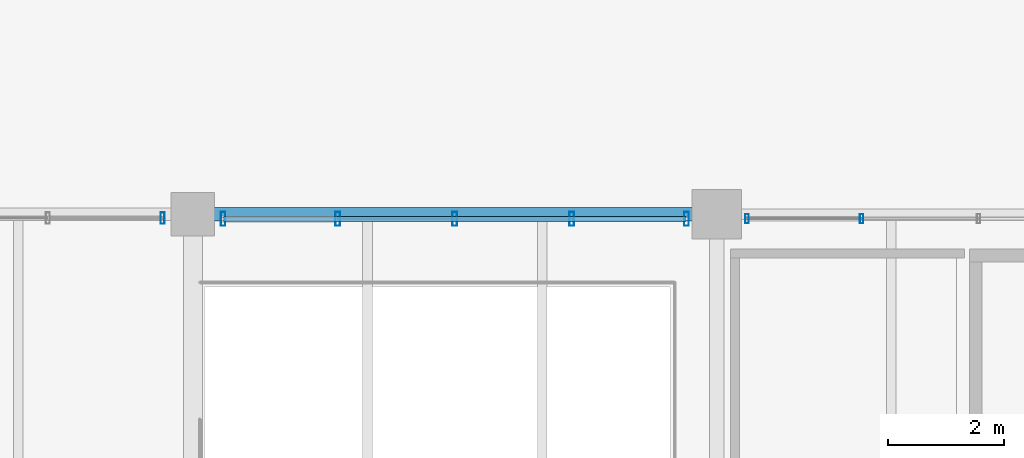
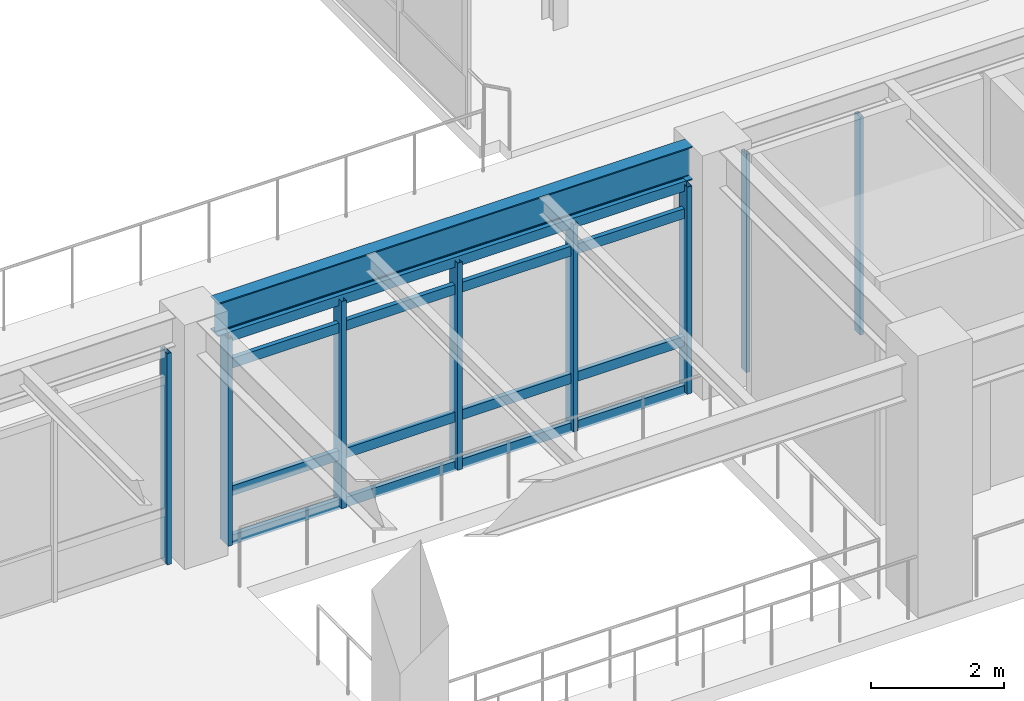
# One storey, part 81 of 200: 12 members, 1 beam, 3 elements without a shape of their own.
"""IFC4 building model written with IfcOpenShell, lengths in metres."""

from ifc_helpers import new_model, si_unit, direction, frame, origin, origin_2d, place, context, subcontext, project, spatial, hollow_rectangle, i_section, extrude, material, material_profile, profile_set, type_object, element, aggregate, save


model = new_model("IFC4")

# Units and contexts
model_context = context("Model", 3, precision=1e-05, world=origin(), true_north=direction((0.0, 1.0)))
body_context = subcontext(model_context, "Body", "Model", "MODEL_VIEW")
ifc_project = project(units=[si_unit("LENGTHUNIT", "METRE"), si_unit("AREAUNIT", "SQUARE_METRE"), si_unit("VOLUMEUNIT", "CUBIC_METRE"), si_unit("PLANEANGLEUNIT", "RADIAN"), si_unit("MASSUNIT", "GRAM", prefix="KILO"), si_unit("THERMODYNAMICTEMPERATUREUNIT", "KELVIN"), si_unit("POWERUNIT", "WATT")], contexts=[model_context])

# Site, building, storey
site_placement = place(None, origin())
site = spatial("IfcSite", under=ifc_project, at=site_placement, CompositionType="ELEMENT")
building_placement = place(site_placement, origin())
building = spatial("IfcBuilding", under=site, at=building_placement, Name="Tepalcoro Natatorium and Aquatics Centre", CompositionType="ELEMENT")
storey_placement = place(building_placement, frame((0.0, 0.0, 5.39990234375)))
storey = spatial("IfcBuildingStorey", under=building, at=storey_placement, Name="L01", CompositionType="ELEMENT", Elevation=5.39990234375)

# Curtain wall, members
ifc_material_1 = material(Name="Bronze-Anodised Extruded Aluminium Alloy EN AW-6063 T6", Category="aluminium")
curtain_wall_type_1 = type_object("IfcCurtainWallType", Name="CW_V4_VILLAGE", PredefinedType="USERDEFINED", material=ifc_material_1)
curtain_wall_1_placement = place(storey_placement, origin())
curtain_wall_1 = element("IfcCurtainWall", 1, at=curtain_wall_1_placement, inside=storey, type_object=curtain_wall_type_1, Name="V1 L01 N Unitised Curtain Wall Bay 8", ObjectType="UNITISED STOREFRONT", PredefinedType="USERDEFINED")
ifc_material_profile_1 = material_profile(ifc_material_1, hollow_rectangle(XDim=0.06005859375, YDim=0.159912109375, WallThickness=0.00390625, at=origin_2d()), Name="AL60X160X4")
ifc_profile_set_1 = profile_set([ifc_material_profile_1], Name="Bronze-Anodised Extruded Aluminium Alloy EN AW-6063 T6")
member_type_1 = type_object("IfcMemberType", Name="CW_MUL_60x160", PredefinedType="MULLION", material=ifc_profile_set_1)
member_1_placement = place(storey_placement, frame((107.52001953125, 65.423828125, 0.02001953125), z_axis=(0.0, 0.0, 1.0), x_axis=(1.0, 0.0, 0.0)))
member_1 = element("IfcMember", 2, at=member_1_placement, type_object=member_type_1, Name="CW_V4_VILLAGE Curtain Wall Mullion", PredefinedType="MULLION", context=body_context, shape_type="SweptSolid", body=[
    extrude(hollow_rectangle(XDim=0.06005859375, YDim=0.159912109375, WallThickness=0.00390625, at=origin_2d()), origin(), (0.0, 0.0, 1.0), 3.9970703125),
])
member_2_placement = place(storey_placement, frame((109.489990234375, 65.423828125, 0.02001953125), z_axis=(0.0, 0.0, 1.0), x_axis=(1.0, 0.0, 0.0)))
member_2 = element("IfcMember", 3, at=member_2_placement, type_object=member_type_1, Name="CW_V4_VILLAGE Curtain Wall Mullion", PredefinedType="MULLION", context=body_context, shape_type="SweptSolid", body=[
    extrude(hollow_rectangle(XDim=0.06005859375, YDim=0.159912109375, WallThickness=0.00390625, at=origin_2d()), origin(), (0.0, 0.0, 1.0), 3.9970703125),
])
aggregate(curtain_wall_1, [member_1, member_2])

# Curtain wall, member
curtain_wall_type_2 = type_object("IfcCurtainWallType", Name="CW_V2_DIVING", PredefinedType="USERDEFINED", material=ifc_material_1)
curtain_wall_2_placement = place(storey_placement, origin())
curtain_wall_2 = element("IfcCurtainWall", 4, at=curtain_wall_2_placement, inside=storey, type_object=curtain_wall_type_2, Name="V1 L01 N Unitised Curtain Wall Bay 6", ObjectType="FACETED SOLAR GLAZING", PredefinedType="USERDEFINED")
ifc_material_profile_2 = material_profile(ifc_material_1, hollow_rectangle(XDim=0.070068359375, YDim=0.199951171875, WallThickness=0.0048828125, at=origin_2d()), Name="AL70X200X5")
ifc_profile_set_2 = profile_set([ifc_material_profile_2], Name="Bronze-Anodised Extruded Aluminium Alloy EN AW-6063 T6")
member_type_2 = type_object("IfcMemberType", Name="CW_MUL_70x200", PredefinedType="MULLION", material=ifc_profile_set_2)
member_3_placement = place(storey_placement, frame((97.47998046875, 65.43505859375, 0.02001953125), z_axis=(0.0, 0.0, 1.0), x_axis=(1.0, 0.0, 0.0)))
member_3 = element("IfcMember", 5, at=member_3_placement, type_object=member_type_2, Name="CW_V2_DIVING Curtain Wall Mullion", PredefinedType="MULLION", context=body_context, shape_type="SweptSolid", body=[
    extrude(hollow_rectangle(XDim=0.070068359375, YDim=0.199951171875, WallThickness=0.0048828125, at=origin_2d()), origin(), (0.0, 0.0, 1.0), 3.8740234375),
])
aggregate(curtain_wall_2, [member_3])

# Curtain wall, members
curtain_wall_type_3 = type_object("IfcCurtainWallType", Name="CW_V3_FOYER", PredefinedType="USERDEFINED", material=ifc_material_1)
curtain_wall_3_placement = place(storey_placement, origin())
curtain_wall_3 = element("IfcCurtainWall", 6, at=curtain_wall_3_placement, inside=storey, type_object=curtain_wall_type_3, Name="V1 L01 N Unitised Curtain Wall Bay 7", ObjectType="UNITISED STOREFRONT", PredefinedType="USERDEFINED")
ifc_material_profile_3 = material_profile(ifc_material_1, hollow_rectangle(XDim=0.080078125, YDim=0.239990234375, WallThickness=0.0048828125, at=origin_2d()), Name="AL80X240X5")
ifc_profile_set_3 = profile_set([ifc_material_profile_3], Name="Bronze-Anodised Extruded Aluminium Alloy EN AW-6063 T6")
member_type_3 = type_object("IfcMemberType", Name="CW_MUL_80x240", PredefinedType="MULLION", material=ifc_profile_set_3)
member_4_placement = place(storey_placement, frame((98.52001953125, 65.419921875, 0.02001953125), z_axis=(0.0, 0.0, 1.0), x_axis=(1.0, 0.0, 0.0)))
member_4 = element("IfcMember", 7, at=member_4_placement, type_object=member_type_3, Name="CW_V3_FOYER Curtain Wall Mullion", PredefinedType="MULLION", context=body_context, shape_type="SweptSolid", body=[
    extrude(hollow_rectangle(XDim=0.080078125, YDim=0.239990234375, WallThickness=0.0048828125, at=origin_2d()), origin(), (0.0, 0.0, 1.0), 3.798095703125),
])
member_5_placement = place(storey_placement, frame((100.489990234375, 65.419921875, 0.02001953125), z_axis=(0.0, 0.0, 1.0), x_axis=(1.0, 0.0, 0.0)))
member_5 = element("IfcMember", 8, at=member_5_placement, type_object=member_type_3, Name="CW_V3_FOYER Curtain Wall Mullion", PredefinedType="MULLION", context=body_context, shape_type="SweptSolid", body=[
    extrude(hollow_rectangle(XDim=0.080078125, YDim=0.239990234375, WallThickness=0.0048828125, at=origin_2d()), origin(), (0.0, 0.0, 1.0), 3.798095703125),
])
member_6_placement = place(storey_placement, frame((102.5, 65.419921875, 0.02001953125), z_axis=(0.0, 0.0, 1.0), x_axis=(1.0, 0.0, 0.0)))
member_6 = element("IfcMember", 9, at=member_6_placement, type_object=member_type_3, Name="CW_V3_FOYER Curtain Wall Mullion", PredefinedType="MULLION", context=body_context, shape_type="SweptSolid", body=[
    extrude(hollow_rectangle(XDim=0.080078125, YDim=0.239990234375, WallThickness=0.0048828125, at=origin_2d()), origin(), (0.0, 0.0, 1.0), 3.798095703125),
])
member_7_placement = place(storey_placement, frame((104.510009765625, 65.419921875, 0.02001953125), z_axis=(0.0, 0.0, 1.0), x_axis=(1.0, 0.0, 0.0)))
member_7 = element("IfcMember", 10, at=member_7_placement, type_object=member_type_3, Name="CW_V3_FOYER Curtain Wall Mullion", PredefinedType="MULLION", context=body_context, shape_type="SweptSolid", body=[
    extrude(hollow_rectangle(XDim=0.080078125, YDim=0.239990234375, WallThickness=0.0048828125, at=origin_2d()), origin(), (0.0, 0.0, 1.0), 3.798095703125),
])
member_8_placement = place(storey_placement, frame((106.47998046875, 65.419921875, 0.02001953125), z_axis=(0.0, 0.0, 1.0), x_axis=(1.0, 0.0, 0.0)))
member_8 = element("IfcMember", 11, at=member_8_placement, type_object=member_type_3, Name="CW_V3_FOYER Curtain Wall Mullion", PredefinedType="MULLION", context=body_context, shape_type="SweptSolid", body=[
    extrude(hollow_rectangle(XDim=0.080078125, YDim=0.239990234375, WallThickness=0.0048828125, at=origin_2d()), origin(), (0.0, 0.0, 1.0), 3.798095703125),
])
ifc_material_profile_4 = material_profile(ifc_material_1, hollow_rectangle(XDim=0.080078125, YDim=0.179931640625, WallThickness=0.0048828125, at=origin_2d()), Name="AL80X180X5")
ifc_profile_set_4 = profile_set([ifc_material_profile_4], Name="Bronze-Anodised Extruded Aluminium Alloy EN AW-6063 T6")
member_type_4 = type_object("IfcMemberType", Name="CW_TRN_80x180", PredefinedType="USERDEFINED", material=ifc_profile_set_4)
member_9_placement = place(storey_placement, frame((98.530029296875, 65.419921875, 0.050048828125), z_axis=(1.0, 0.0, 0.0), x_axis=(0.0, 1.0, 0.0)))
member_9 = element("IfcMember", 12, at=member_9_placement, type_object=member_type_4, Name="CW_V3_FOYER Curtain Wall Transom", ObjectType="TRANSOM", PredefinedType="USERDEFINED", context=body_context, shape_type="SweptSolid", body=[
    extrude(hollow_rectangle(XDim=0.080078125, YDim=0.179931640625, WallThickness=0.0048828125, at=origin_2d()), origin(), (0.0, 0.0, 1.0), 7.93994140625),
])
member_10_placement = place(storey_placement, frame((98.530029296875, 65.419921875, 0.9501953125), z_axis=(1.0, 0.0, 0.0), x_axis=(0.0, 1.0, 0.0)))
member_10 = element("IfcMember", 13, at=member_10_placement, type_object=member_type_4, Name="CW_V3_FOYER Curtain Wall Transom", ObjectType="TRANSOM", PredefinedType="USERDEFINED", context=body_context, shape_type="SweptSolid", body=[
    extrude(hollow_rectangle(XDim=0.080078125, YDim=0.179931640625, WallThickness=0.0048828125, at=origin_2d()), origin(), (0.0, 0.0, 1.0), 7.93994140625),
])
member_11_placement = place(storey_placement, frame((98.530029296875, 65.419921875, 3.2880859375), z_axis=(1.0, 0.0, 0.0), x_axis=(0.0, 1.0, 0.0)))
member_11 = element("IfcMember", 14, at=member_11_placement, type_object=member_type_4, Name="CW_V3_FOYER Curtain Wall Transom", ObjectType="TRANSOM", PredefinedType="USERDEFINED", context=body_context, shape_type="SweptSolid", body=[
    extrude(hollow_rectangle(XDim=0.080078125, YDim=0.179931640625, WallThickness=0.0048828125, at=origin_2d()), origin(), (0.0, 0.0, 1.0), 7.93994140625),
])
member_12_placement = place(storey_placement, frame((98.530029296875, 65.419921875, 3.7880859375), z_axis=(1.0, 0.0, 0.0), x_axis=(0.0, 1.0, 0.0)))
member_12 = element("IfcMember", 15, at=member_12_placement, type_object=member_type_4, Name="CW_V3_FOYER Curtain Wall Transom", ObjectType="TRANSOM", PredefinedType="USERDEFINED", context=body_context, shape_type="SweptSolid", body=[
    extrude(hollow_rectangle(XDim=0.080078125, YDim=0.179931640625, WallThickness=0.0048828125, at=origin_2d()), origin(), (0.0, 0.0, 1.0), 7.93994140625),
])
aggregate(curtain_wall_3, [member_4, member_5, member_6, member_7, member_8, member_9, member_10, member_11, member_12])

# Beam
ifc_material_2 = material(Name="Steel ASTM A992 Grade 50 (Fy 345 MPa)", Category="steel")
ifc_material_profile_5 = material_profile(ifc_material_2, i_section(OverallWidth=0.22900390625, OverallDepth=0.612060546875, WebThickness=0.011962890625, FlangeThickness=0.02001953125, FilletRadius=0.013916015625, at=origin_2d()), Name="W24X84")
ifc_profile_set_5 = profile_set([ifc_material_profile_5], Name="Steel ASTM A992 Grade 50 (Fy 345 MPa)")
beam_type = type_object("IfcBeamType", Name="SP_W24x84", PredefinedType="SPANDREL", material=ifc_profile_set_5)
beam_placement = place(storey_placement, frame((98.360107421875, 65.5, 4.1591796875), z_axis=(1.0, 0.0, 0.0), x_axis=(0.0, 1.0, 0.0)))
element("IfcBeam", 16, at=beam_placement, inside=storey, type_object=beam_type, Name="V1 L01 Grid Girder X", PredefinedType="SPANDREL", context=body_context, shape_type="SweptSolid", body=[
    extrude(i_section(OverallWidth=0.22900390625, OverallDepth=0.612060546875, WebThickness=0.011962890625, FlangeThickness=0.02001953125, FilletRadius=0.013916015625, at=origin_2d()), origin(), (0.0, 0.0, 1.0), 8.22998046875),
])

save(model, "model.ifc")
